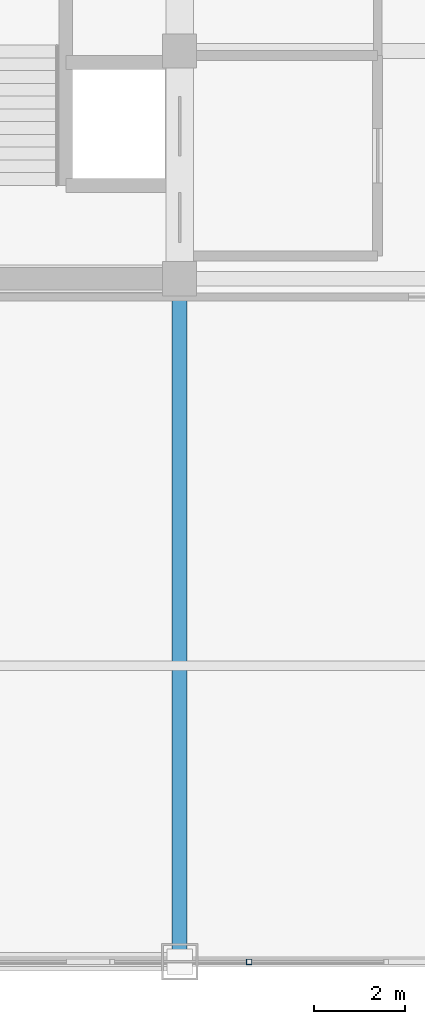
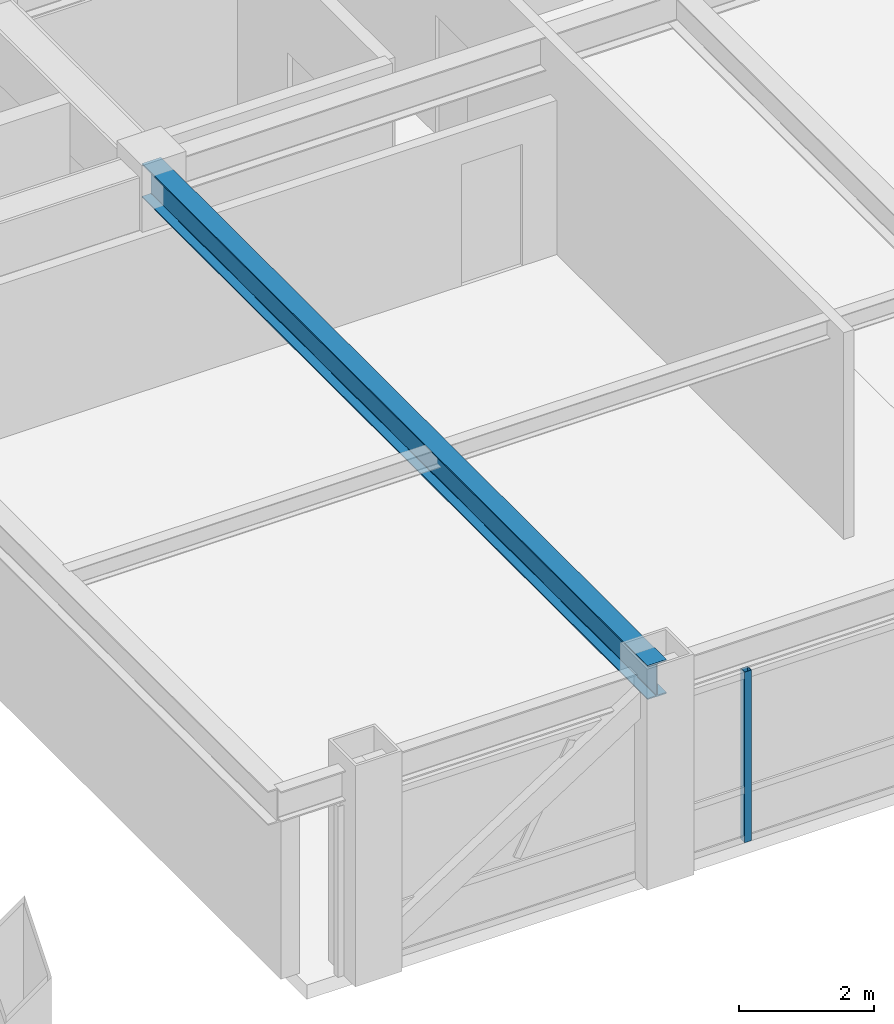
# One storey, part 9 of 29: 1 beam, 1 member, 1 element without a shape of its own.
"""IFC4 building model written with IfcOpenShell, lengths in metres."""

import ifcopenshell
import ifcopenshell.guid

model = None  # the IFC model being written
_history = None  # IfcOwnerHistory: only IFC2X3 demands one
_inside = {}  # id of a spatial element -> (the spatial element, [elements in it])
_under = {}  # id of a project, library or spatial element -> (it, [spatial elements below it])
_declared = {}  # id of a project -> (the project, [libraries it declares])
_typed = {}  # id of a type object -> (the type object, [elements of that type])
_made_of = {}  # id of a material, layer set ... -> (it, [elements and type objects made of it])


def new_model(schema):
    """Start an empty IFC model of exactly this schema.

    Asked for "IFC4X3", IfcOpenShell would pick the latest addendum, in which some entities
    have other attributes; the version numbers below select the first issue.
    IFC2X3 requires an IfcOwnerHistory on every rooted entity: one is made here for all.
    """
    global model, _history
    if schema == "IFC4X3":
        model = ifcopenshell.file(schema_version=(4, 3, 0, 0))
    else:
        model = ifcopenshell.file(schema=schema)
    _inside.clear()
    _under.clear()
    _declared.clear()
    _typed.clear()
    _made_of.clear()
    _history = None
    if model.schema == "IFC2X3":
        org = make("IfcOrganization", Name="unknown")
        user = make(
            "IfcPersonAndOrganization",
            ThePerson=make("IfcPerson", FamilyName="unknown"),
            TheOrganization=org,
        )
        app = make(
            "IfcApplication",
            ApplicationDeveloper=org,
            Version="unknown",
            ApplicationFullName="unknown",
            ApplicationIdentifier="unknown",
        )
        _history = make(
            "IfcOwnerHistory",
            OwningUser=user,
            OwningApplication=app,
            ChangeAction="ADDED",
            CreationDate=0,
        )
    return model


def make(cls, **values):
    """One entity of the class cls with the attributes given. An attribute that is None is left unset."""
    return model.create_entity(
        cls, **{name: value for name, value in values.items() if value is not None}
    )


def rooted(cls, **values):
    """An entity with a GlobalId (a new one), such as an element, a storey or a relation."""
    return make(cls, GlobalId=ifcopenshell.guid.new(), OwnerHistory=_history, **values)


def si_unit(unit_type, name, prefix=None):
    """IfcSIUnit, for example si_unit("LENGTHUNIT", "METRE", prefix="MILLI")."""
    return make("IfcSIUnit", UnitType=unit_type, Prefix=prefix, Name=name)


def assignment(units):
    """IfcUnitAssignment: the units of a project."""
    return None if units is None else make("IfcUnitAssignment", Units=units)


def point(xyz):
    """IfcCartesianPoint."""
    return None if xyz is None else make("IfcCartesianPoint", Coordinates=xyz)


def direction(xyz):
    """IfcDirection."""
    return None if xyz is None else make("IfcDirection", DirectionRatios=xyz)


def frame(location, z_axis=None, x_axis=None):
    """IfcAxis2Placement3D, a coordinate frame: its origin and axes. An axis left out is left unset."""
    return make(
        "IfcAxis2Placement3D",
        Location=point(location),
        Axis=direction(z_axis),
        RefDirection=direction(x_axis),
    )


def frame_2d(location, x_axis=None):
    """IfcAxis2Placement2D, a coordinate frame in the plane: its origin and x axis."""
    return make(
        "IfcAxis2Placement2D", Location=point(location), RefDirection=direction(x_axis)
    )


def origin():
    """The frame at (0, 0, 0) with its axes left unset."""
    return frame((0.0, 0.0, 0.0))


def origin_2d():
    """The frame at (0, 0) in the plane with its x axis left unset."""
    return frame_2d((0.0, 0.0))


def place(relative_to, where):
    """IfcLocalPlacement: puts the frame where relative to a parent placement (None: the world)."""
    return make(
        "IfcLocalPlacement", PlacementRelTo=relative_to, RelativePlacement=where
    )


def context(
    kind, dimensions, precision=None, world=None, true_north=None, identifier=None
):
    """IfcGeometricRepresentationContext, for example the 3D "Model" context."""
    return make(
        "IfcGeometricRepresentationContext",
        ContextIdentifier=identifier,
        ContextType=kind,
        CoordinateSpaceDimension=dimensions,
        Precision=precision,
        WorldCoordinateSystem=world,
        TrueNorth=true_north,
    )


def subcontext(parent, identifier, kind, view, scale=None):
    """IfcGeometricRepresentationSubContext, for example "Body" below "Model"."""
    return make(
        "IfcGeometricRepresentationSubContext",
        ContextIdentifier=identifier,
        ContextType=kind,
        ParentContext=parent,
        TargetScale=scale,
        TargetView=view,
    )


def project(units=None, contexts=None):
    """IfcProject with its units and contexts."""
    return rooted(
        "IfcProject",
        Name="project",
        RepresentationContexts=contexts,
        UnitsInContext=assignment(units),
    )


def spatial(cls, under=None, at=None, **own):
    """A site, building, storey or space (cls), placed at a placement, below another one or the project."""
    s = rooted(cls, ObjectPlacement=at, **own)
    if under is not None:
        _under.setdefault(under.id(), (under, []))[1].append(s)
    return s


def profile(cls, at=None, kind="AREA", **sizes):
    """A parametric profile (cls). Its sizes go by their IFC names, for example OverallWidth=200.0."""
    return make(cls, ProfileType=kind, Position=at, **sizes)


def hollow_rectangle(**sizes):
    """IfcRectangleHollowProfileDef."""
    return profile("IfcRectangleHollowProfileDef", **sizes)


def i_section(**sizes):
    """IfcIShapeProfileDef."""
    return profile("IfcIShapeProfileDef", **sizes)


def extrude(swept, where, along, depth):
    """IfcExtrudedAreaSolid: the profile swept, set in the frame where, extruded along a direction by depth."""
    return make(
        "IfcExtrudedAreaSolid",
        SweptArea=swept,
        Position=where,
        ExtrudedDirection=direction(along),
        Depth=depth,
    )


def shape(context_of_items, identifier, shape_type, items):
    """IfcShapeRepresentation: the items that make up one representation, for example the "Body"."""
    return make(
        "IfcShapeRepresentation",
        ContextOfItems=context_of_items,
        RepresentationIdentifier=identifier,
        RepresentationType=shape_type,
        Items=items,
    )


def source(mapping_origin, context_of_items, identifier, shape_type, items):
    """IfcRepresentationMap: a shape defined once, which mapped items show again and again."""
    return make(
        "IfcRepresentationMap",
        MappingOrigin=mapping_origin,
        MappedRepresentation=shape(context_of_items, identifier, shape_type, items),
    )


def transform(
    local_origin,
    x_axis=None,
    y_axis=None,
    z_axis=None,
    scale=None,
    scale2=None,
    scale3=None,
    uniform=True,
):
    """IfcCartesianTransformationOperator3D, or its non-uniform kind. x_axis, y_axis, z_axis: its Axis1, 2, 3."""
    if uniform:
        return make(
            "IfcCartesianTransformationOperator3D",
            Axis1=direction(x_axis),
            Axis2=direction(y_axis),
            LocalOrigin=point(local_origin),
            Scale=scale,
            Axis3=direction(z_axis),
        )
    return make(
        "IfcCartesianTransformationOperator3DnonUniform",
        Axis1=direction(x_axis),
        Axis2=direction(y_axis),
        LocalOrigin=point(local_origin),
        Scale=scale,
        Axis3=direction(z_axis),
        Scale2=scale2,
        Scale3=scale3,
    )


def mapped(mapping_source, mapping_target):
    """IfcMappedItem: shows the shape of a source again, moved by a transform."""
    return make(
        "IfcMappedItem", MappingSource=mapping_source, MappingTarget=mapping_target
    )


def material(Name=None, Category=None):
    """IfcMaterial."""
    return make("IfcMaterial", Name=Name, Category=Category)


def material_profile(
    of_material, cross_section, Name=None, Category=None, Priority=None
):
    """IfcMaterialProfile: a cross section and its material."""
    return make(
        "IfcMaterialProfile",
        Name=Name,
        Material=of_material,
        Profile=cross_section,
        Priority=Priority,
        Category=Category,
    )


def profile_set(profiles, Name=None, composite=None):
    """IfcMaterialProfileSet."""
    return make(
        "IfcMaterialProfileSet",
        Name=Name,
        MaterialProfiles=profiles,
        CompositeProfile=composite,
    )


def made_of(thing, what):
    """Note that an element or type object is made of a material, layer set ...; save() writes the relation."""
    if what is not None:
        _made_of.setdefault(what.id(), (what, []))[1].append(thing)
    return thing


def type_object(cls, material=None, **own):
    """A type object (cls), such as IfcWallType, which elements share."""
    return made_of(rooted(cls, **own), material)


def element(
    cls,
    number,
    at=None,
    inside=None,
    cuts=None,
    type_object=None,
    material=None,
    context=None,
    identifier="Body",
    shape_type=None,
    held_by="IfcProductDefinitionShape",
    body=None,
    shapes=None,
    **own,
):
    """One element of the class cls, such as IfcWall. Its Tag is "e" and its number.

    at: its placement. inside: the storey or other place that contains it. cuts: it is an
    opening in that element (IfcRelVoidsElement). A single representation is given by context,
    identifier, shape_type and body (its items); several are given by shapes. held_by: the class
    of the entity that holds the representations. save() writes the other relations.
    """
    e = rooted(cls, Tag="e%d" % number, ObjectPlacement=at, **own)
    if body is not None:
        shapes = [shape(context, identifier, shape_type, body)]
    if shapes is not None:
        e.Representation = make(held_by, Representations=shapes)
    if inside is not None:
        _inside.setdefault(inside.id(), (inside, []))[1].append(e)
    if cuts is not None:
        rooted(
            "IfcRelVoidsElement", RelatingBuildingElement=cuts, RelatedOpeningElement=e
        )
    if type_object is not None:
        _typed.setdefault(type_object.id(), (type_object, []))[1].append(e)
    return made_of(e, material)


def aggregate(whole, parts):
    """IfcRelAggregates: a whole, such as a stair, and the parts it consists of."""
    return rooted("IfcRelAggregates", RelatingObject=whole, RelatedObjects=parts)


def save(model, path):
    """Write the relations noted so far, then the file.

    IfcRelAggregates (storeys below a building ...), IfcRelContainedInSpatialStructure (elements
    in a storey), IfcRelDefinesByType, IfcRelAssociatesMaterial and IfcRelDeclares: one each for
    every whole, place, type object, material and project.
    """
    for whole, parts in _under.values():
        aggregate(whole, parts)
    for where, things in _inside.values():
        rooted(
            "IfcRelContainedInSpatialStructure",
            RelatedElements=things,
            RelatingStructure=where,
        )
    for kind, things in _typed.values():
        rooted("IfcRelDefinesByType", RelatedObjects=things, RelatingType=kind)
    for what, things in _made_of.values():
        rooted("IfcRelAssociatesMaterial", RelatedObjects=things, RelatingMaterial=what)
    for by, libraries in _declared.values():
        rooted("IfcRelDeclares", RelatingContext=by, RelatedDefinitions=libraries)
    model.write(path)


model = new_model("IFC4")

# Units and contexts
model_context = context("Model", 3, precision=1e-05, world=origin(), true_north=direction((0.0, 1.0)))
body_context = subcontext(model_context, "Body", "Model", "MODEL_VIEW")
ifc_project = project(units=[si_unit("LENGTHUNIT", "METRE"), si_unit("AREAUNIT", "SQUARE_METRE"), si_unit("VOLUMEUNIT", "CUBIC_METRE"), si_unit("PLANEANGLEUNIT", "RADIAN"), si_unit("MASSUNIT", "GRAM", prefix="KILO")], contexts=[model_context])

# Site, building, storey
site_placement = place(None, origin())
site = spatial("IfcSite", under=ifc_project, at=site_placement, CompositionType="ELEMENT")
building_placement = place(site_placement, origin())
building = spatial("IfcBuilding", under=site, at=building_placement, Name="Khorayat Bourse Tower", CompositionType="ELEMENT")
storey_placement = place(building_placement, frame((0.0, 0.0, 350.300048828125)))
storey = spatial("IfcBuildingStorey", under=building, at=storey_placement, Name="L83", CompositionType="ELEMENT", Elevation=350.300048828125)

# Beam
ifc_material_1 = material(Name="Steel ASTM A992 Grade 50", Category="steel")
ifc_material_profile_1 = material_profile(ifc_material_1, i_section(OverallWidth=0.324951171875, OverallDepth=0.615966796875, WebThickness=0.013916015625, FlangeThickness=0.021484375, FilletRadius=0.01611328125, at=origin_2d()), Name="W610X174")
ifc_profile_set_1 = profile_set([ifc_material_profile_1], Name="Steel ASTM A992 Grade 50")
beam_type = type_object("IfcBeamType", Name="BM-GIRD-610", PredefinedType="BEAM", material=ifc_profile_set_1)
shared_shape_1 = source(origin(), body_context, "Body", "SweptSolid", [
    extrude(i_section(OverallWidth=0.324951171875, OverallDepth=0.615966796875, WebThickness=0.013916015625, FlangeThickness=0.021484375, FilletRadius=0.01611328125, at=origin_2d()), origin(), (0.0, 0.0, 1.0), 15.0),
])
beam_placement = place(storey_placement, frame((11.0, -26.0, 3.431884765625), z_axis=(0.0, 1.0, 0.0), x_axis=(-1.0, 0.0, 0.0)))
element("IfcBeam", 1, at=beam_placement, inside=storey, type_object=beam_type, Name="L83 BM-GIRD-610 BM-L83-RADY-060", PredefinedType="BEAM", context=body_context, shape_type="MappedRepresentation", body=[
    mapped(shared_shape_1, transform((0.0, 0.0, 0.0), scale=1.0)),
])

# Curtain wall, member
ifc_material_2 = material(Name="Aluminium EN AW-6063 T6", Category="aluminium")
curtain_wall_type = type_object("IfcCurtainWallType", Name="CW-SYS-06", PredefinedType="NOTDEFINED", material=ifc_material_2)
curtain_wall_placement = place(storey_placement, origin())
curtain_wall = element("IfcCurtainWall", 2, at=curtain_wall_placement, inside=storey, type_object=curtain_wall_type, Name="L83 Curtain Wall CW-L83-S2", PredefinedType="NOTDEFINED")
ifc_material_profile_2 = material_profile(ifc_material_2, hollow_rectangle(XDim=0.1201171875, YDim=0.1201171875, WallThickness=0.0048828125, at=origin_2d()), Name="ALU 120x120x5")
ifc_profile_set_2 = profile_set([ifc_material_profile_2], Name="Aluminium EN AW-6063 T6")
member_type = type_object("IfcMemberType", Name="CWM-VERT-120", PredefinedType="MULLION", material=ifc_profile_set_2)
shared_shape_2 = source(origin(), body_context, "Body", "SweptSolid", [
    extrude(hollow_rectangle(XDim=0.1201171875, YDim=0.1201171875, WallThickness=0.0048828125, at=origin_2d()), origin(), (0.0, 0.0, 1.0), 3.08984375),
])
member_placement = place(storey_placement, frame((12.52490234375, -26.0, 0.0), z_axis=(0.0, 0.0, 1.0), x_axis=(0.0, 1.0, 0.0)))
member = element("IfcMember", 3, at=member_placement, type_object=member_type, Name="CW-L83-S2 Vertical Mullion 2", PredefinedType="MULLION", context=body_context, shape_type="MappedRepresentation", body=[
    mapped(shared_shape_2, transform((0.0, 0.0, 0.0), scale=1.0)),
])
aggregate(curtain_wall, [member])

save(model, "model.ifc")
